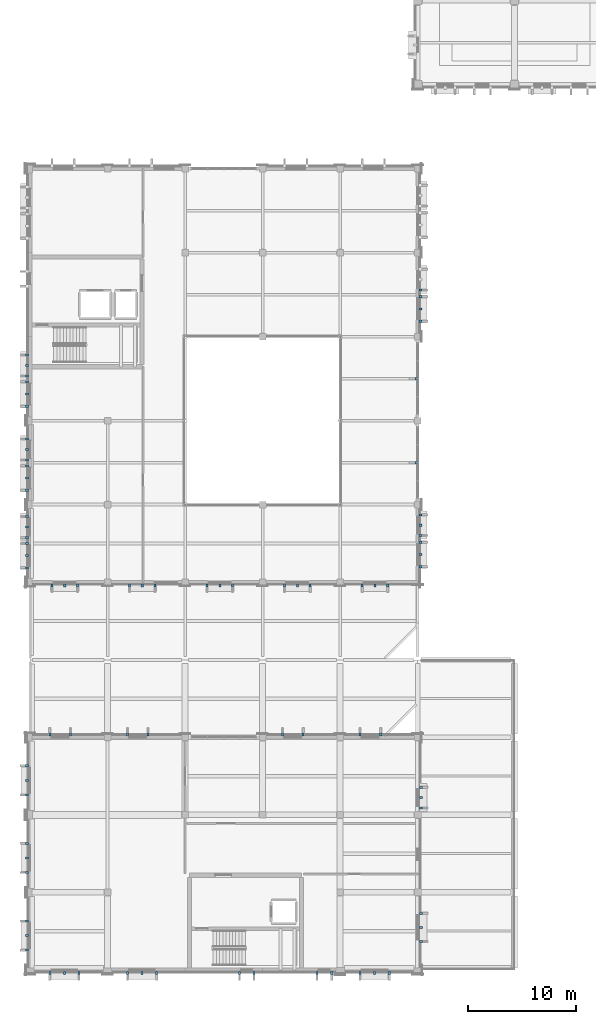
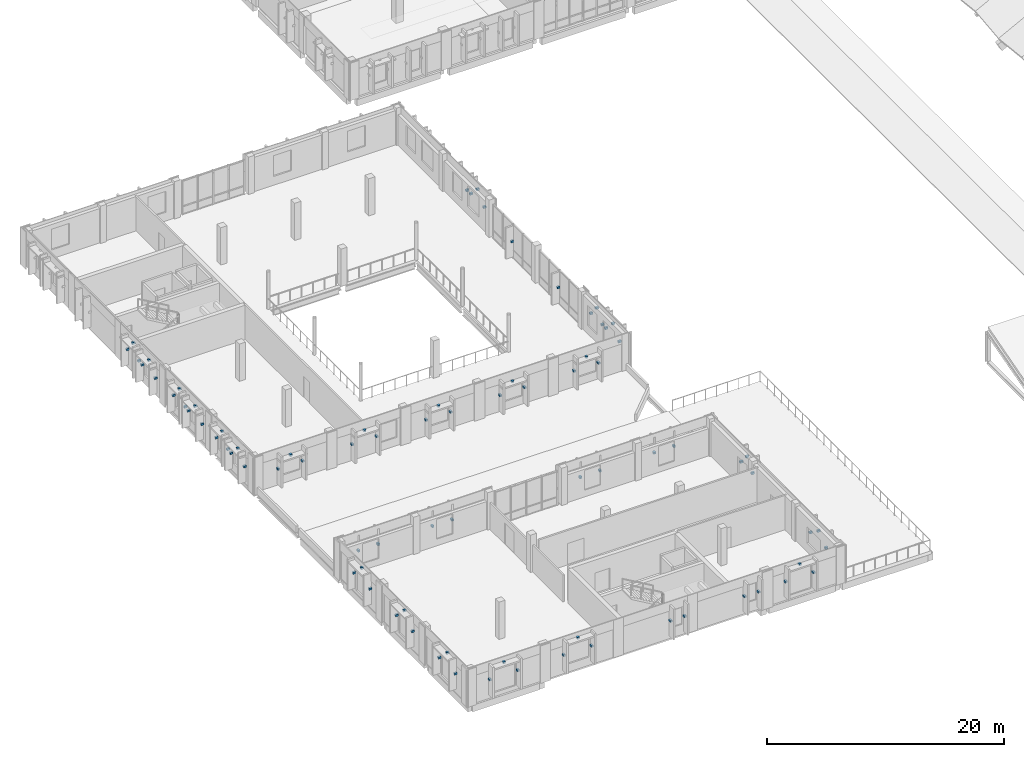
# One storey, part 48 of 64: 81 discrete accessories.
"""IFC4 building model written with IfcOpenShell, lengths in metres."""

from ifc_helpers import new_model, si_unit, direction, frame, origin, origin_2d, place, context, subcontext, project, spatial, rectangle, extrude, material, type_object, element, save


model = new_model("IFC4")

# Units and contexts
model_context = context("Model", 3, precision=1e-05, world=origin(), true_north=direction((0.0, 1.0)))
body_context = subcontext(model_context, "Body", "Model", "MODEL_VIEW")
ifc_project = project(units=[si_unit("LENGTHUNIT", "METRE"), si_unit("AREAUNIT", "SQUARE_METRE"), si_unit("VOLUMEUNIT", "CUBIC_METRE"), si_unit("PLANEANGLEUNIT", "RADIAN"), si_unit("MASSUNIT", "GRAM", prefix="KILO")], contexts=[model_context])

# Site, building, storey
site_placement = place(None, origin())
site = spatial("IfcSite", under=ifc_project, at=site_placement, CompositionType="ELEMENT")
building_placement = place(site_placement, origin())
building = spatial("IfcBuilding", under=site, at=building_placement, Name="Vervanel Yard Central Library", CompositionType="ELEMENT")
storey_placement = place(building_placement, frame((0.0, 0.0, 8.93994140625)))
storey = spatial("IfcBuildingStorey", under=building, at=storey_placement, Name="L02", CompositionType="ELEMENT", Elevation=8.93994140625)

# Discrete accessories
ifc_material = material(Name="Steel ASTM A572 Grade 50", Category="steel")
discrete_accessory_type = type_object("IfcDiscreteAccessoryType", Name="Stainless Solar Fin Fixing Bracket", PredefinedType="BRACKET", material=ifc_material)
for number, where, z_axis, x_axis, name in (
    (1, (-0.2900390625, 37.340087890625, 1.80029296875), (0.0, 0.0, 1.0), (0.0, 1.0, 0.0), "L02 Solar Fin Bracket 307"),
    (2, (-0.2900390625, 39.610107421875, 1.80029296875), (0.0, 0.0, 1.0), (0.0, 1.0, 0.0), "L02 Solar Fin Bracket 308"),
    (3, (-0.2900390625, 38.47509765625, 2.9501953125), (0.0, 0.0, 1.0), (0.0, 1.0, 0.0), "L02 Sunhood Bracket 54"),
    (4, (-0.2900390625, 40.139892578125, 1.875), (0.0, 0.0, 1.0), (0.0, 1.0, 0.0), "L02 Solar Fin Bracket 309"),
    (5, (-0.2900390625, 42.110107421875, 1.875), (0.0, 0.0, 1.0), (0.0, 1.0, 0.0), "L02 Solar Fin Bracket 310"),
    (6, (-0.2900390625, 41.125, 3.10009765625), (0.0, 0.0, 1.0), (0.0, 1.0, 0.0), "L02 Sunhood Bracket 55"),
    (7, (-0.2900390625, 44.5400390625, 1.80029296875), (0.0, 0.0, 1.0), (0.0, 1.0, 0.0), "L02 Solar Fin Bracket 311"),
    (8, (-0.2900390625, 46.81005859375, 1.80029296875), (0.0, 0.0, 1.0), (0.0, 1.0, 0.0), "L02 Solar Fin Bracket 312"),
    (9, (-0.2900390625, 45.675048828125, 2.9501953125), (0.0, 0.0, 1.0), (0.0, 1.0, 0.0), "L02 Sunhood Bracket 56"),
    (10, (-0.2900390625, 47.340087890625, 1.875), (0.0, 0.0, 1.0), (0.0, 1.0, 0.0), "L02 Solar Fin Bracket 313"),
    (11, (-0.2900390625, 49.31005859375, 1.875), (0.0, 0.0, 1.0), (0.0, 1.0, 0.0), "L02 Solar Fin Bracket 314"),
    (12, (-0.2900390625, 48.324951171875, 3.10009765625), (0.0, 0.0, 1.0), (0.0, 1.0, 0.0), "L02 Sunhood Bracket 57"),
    (13, (-0.2900390625, 52.340087890625, 1.80029296875), (0.0, 0.0, 1.0), (0.0, 1.0, 0.0), "L02 Solar Fin Bracket 315"),
    (14, (-0.2900390625, 54.610107421875, 1.80029296875), (0.0, 0.0, 1.0), (0.0, 1.0, 0.0), "L02 Solar Fin Bracket 316"),
    (15, (-0.2900390625, 53.47509765625, 2.9501953125), (0.0, 0.0, 1.0), (0.0, 1.0, 0.0), "L02 Sunhood Bracket 58"),
    (16, (-0.2900390625, 55.139892578125, 1.875), (0.0, 0.0, 1.0), (0.0, 1.0, 0.0), "L02 Solar Fin Bracket 317"),
    (17, (-0.2900390625, 57.110107421875, 1.875), (0.0, 0.0, 1.0), (0.0, 1.0, 0.0), "L02 Solar Fin Bracket 318"),
    (18, (-0.2900390625, 56.125, 3.10009765625), (0.0, 0.0, 1.0), (0.0, 1.0, 0.0), "L02 Sunhood Bracket 59"),
    (19, (36.27001953125, 37.43994140625, 1.80029296875), (0.0, 0.0, 1.0), (0.0, 1.0, 0.0), "L02 Solar Fin Bracket 325"),
    (20, (36.27001953125, 39.7099609375, 1.80029296875), (0.0, 0.0, 1.0), (0.0, 1.0, 0.0), "L02 Solar Fin Bracket 326"),
    (21, (36.27001953125, 38.574951171875, 2.9501953125), (0.0, 0.0, 1.0), (0.0, 1.0, 0.0), "L02 Sunhood Bracket 62"),
    (22, (36.27001953125, 40.340087890625, 1.77490234375), (0.0, 0.0, 1.0), (0.0, 1.0, 0.0), "L02 Solar Fin Bracket 327"),
    (23, (36.27001953125, 42.260009765625, 1.77490234375), (0.0, 0.0, 1.0), (0.0, 1.0, 0.0), "L02 Solar Fin Bracket 328"),
    (24, (36.27001953125, 41.300048828125, 2.89990234375), (0.0, 0.0, 1.0), (0.0, 1.0, 0.0), "L02 Sunhood Bracket 63"),
    (25, (35.8701171875, 47.10009765625, 1.6552734375), (0.0, 0.0, 1.0), (0.0, 1.0, 0.0), "L02 Solar Fin Bracket 329"),
    (26, (35.8701171875, 54.89990234375, 1.6552734375), (0.0, 0.0, 1.0), (0.0, 1.0, 0.0), "L02 Solar Fin Bracket 330"),
    (27, (36.27001953125, 60.239990234375, 1.80029296875), (0.0, 0.0, 1.0), (0.0, 1.0, 0.0), "L02 Solar Fin Bracket 331"),
    (28, (36.27001953125, 62.510009765625, 1.80029296875), (0.0, 0.0, 1.0), (0.0, 1.0, 0.0), "L02 Solar Fin Bracket 332"),
    (29, (36.27001953125, 61.375, 2.9501953125), (0.0, 0.0, 1.0), (0.0, 1.0, 0.0), "L02 Sunhood Bracket 64"),
    (30, (36.27001953125, 63.139892578125, 1.77490234375), (0.0, 0.0, 1.0), (0.0, 1.0, 0.0), "L02 Solar Fin Bracket 333"),
    (31, (2.0400390625, 35.7099609375, 1.72509765625), (0.0, 0.0, 1.0), (1.0, 0.0, 0.0), "L02 Solar Fin Bracket 341"),
    (32, (4.409912109375, 35.7099609375, 1.72509765625), (0.0, 0.0, 1.0), (1.0, 0.0, 0.0), "L02 Solar Fin Bracket 342"),
    (33, (3.22509765625, 35.7099609375, 2.75), (0.0, 0.0, 1.0), (1.0, 0.0, 0.0), "L02 Sunhood Bracket 68"),
    (34, (9.239990234375, 35.7099609375, 1.72509765625), (0.0, 0.0, 1.0), (1.0, 0.0, 0.0), "L02 Solar Fin Bracket 345"),
    (35, (11.610107421875, 35.7099609375, 1.72509765625), (0.0, 0.0, 1.0), (1.0, 0.0, 0.0), "L02 Solar Fin Bracket 346"),
    (36, (10.425048828125, 35.7099609375, 2.75), (0.0, 0.0, 1.0), (1.0, 0.0, 0.0), "L02 Sunhood Bracket 69"),
    (37, (16.43994140625, 35.7099609375, 1.72509765625), (0.0, 0.0, 1.0), (1.0, 0.0, 0.0), "L02 Solar Fin Bracket 347"),
    (38, (18.81005859375, 35.7099609375, 1.72509765625), (0.0, 0.0, 1.0), (1.0, 0.0, 0.0), "L02 Solar Fin Bracket 348"),
    (39, (17.625, 35.7099609375, 2.75), (0.0, 0.0, 1.0), (1.0, 0.0, 0.0), "L02 Sunhood Bracket 70"),
    (40, (23.639892578125, 35.7099609375, 1.72509765625), (0.0, 0.0, 1.0), (1.0, 0.0, 0.0), "L02 Solar Fin Bracket 351"),
    (41, (26.010009765625, 35.7099609375, 1.72509765625), (0.0, 0.0, 1.0), (1.0, 0.0, 0.0), "L02 Solar Fin Bracket 352"),
    (42, (24.824951171875, 35.7099609375, 2.75), (0.0, 0.0, 1.0), (1.0, 0.0, 0.0), "L02 Sunhood Bracket 71"),
    (43, (30.840087890625, 35.7099609375, 1.72509765625), (0.0, 0.0, 1.0), (1.0, 0.0, 0.0), "L02 Solar Fin Bracket 355"),
    (44, (33.2099609375, 35.7099609375, 1.72509765625), (0.0, 0.0, 1.0), (1.0, 0.0, 0.0), "L02 Solar Fin Bracket 356"),
    (45, (32.02490234375, 35.7099609375, 2.75), (0.0, 0.0, 1.0), (1.0, 0.0, 0.0), "L02 Sunhood Bracket 72"),
    (46, (1.840087890625, -0.2900390625, 1.9501953125), (0.0, 0.0, 1.0), (1.0, 0.0, 0.0), "L02 Solar Fin Bracket 659"),
    (47, (4.56005859375, -0.2900390625, 1.9501953125), (0.0, 0.0, 1.0), (1.0, 0.0, 0.0), "L02 Solar Fin Bracket 660"),
    (48, (3.199951171875, -0.2900390625, 3.25), (0.0, 0.0, 1.0), (1.0, 0.0, 0.0), "L02 Sunhood Bracket 134"),
    (49, (9.0400390625, -0.2900390625, 1.9501953125), (0.0, 0.0, 1.0), (1.0, 0.0, 0.0), "L02 Solar Fin Bracket 661"),
    (50, (11.760009765625, -0.2900390625, 1.9501953125), (0.0, 0.0, 1.0), (1.0, 0.0, 0.0), "L02 Solar Fin Bracket 662"),
    (51, (10.39990234375, -0.2900390625, 3.25), (0.0, 0.0, 1.0), (1.0, 0.0, 0.0), "L02 Sunhood Bracket 135"),
    (52, (19.43994140625, -0.2900390625, 1.8251953125), (0.0, 0.0, 1.0), (1.0, 0.0, 0.0), "L02 Solar Fin Bracket 663"),
    (53, (20.81005859375, -0.2900390625, 1.8251953125), (0.0, 0.0, 1.0), (1.0, 0.0, 0.0), "L02 Solar Fin Bracket 664"),
    (54, (26.639892578125, -0.2900390625, 1.8251953125), (0.0, 0.0, 1.0), (1.0, 0.0, 0.0), "L02 Solar Fin Bracket 665"),
    (55, (28.010009765625, -0.2900390625, 1.8251953125), (0.0, 0.0, 1.0), (1.0, 0.0, 0.0), "L02 Solar Fin Bracket 666"),
    (56, (30.639892578125, -0.2900390625, 1.9501953125), (0.0, 0.0, 1.0), (1.0, 0.0, 0.0), "L02 Solar Fin Bracket 667"),
    (57, (33.360107421875, -0.2900390625, 1.9501953125), (0.0, 0.0, 1.0), (1.0, 0.0, 0.0), "L02 Solar Fin Bracket 668"),
    (58, (32.0, -0.2900390625, 3.25), (0.0, 0.0, 1.0), (1.0, 0.0, 0.0), "L02 Sunhood Bracket 136"),
    (59, (-0.27001953125, 1.840087890625, 2.0), (0.0, 0.0, 1.0), (0.0, 1.0, 0.0), "L02 Solar Fin Bracket 669"),
    (60, (-0.27001953125, 4.56005859375, 2.0), (0.0, 0.0, 1.0), (0.0, 1.0, 0.0), "L02 Solar Fin Bracket 670"),
    (61, (-0.27001953125, 3.199951171875, 3.30029296875), (0.0, 0.0, 1.0), (0.0, 1.0, 0.0), "L02 Sunhood Bracket 137"),
    (62, (-0.27001953125, 9.0400390625, 2.0), (0.0, 0.0, 1.0), (0.0, 1.0, 0.0), "L02 Solar Fin Bracket 671"),
    (63, (-0.27001953125, 11.760009765625, 2.0), (0.0, 0.0, 1.0), (0.0, 1.0, 0.0), "L02 Solar Fin Bracket 672"),
    (64, (-0.27001953125, 10.39990234375, 3.30029296875), (0.0, 0.0, 1.0), (0.0, 1.0, 0.0), "L02 Sunhood Bracket 138"),
    (65, (-0.27001953125, 16.239990234375, 2.0), (0.0, 0.0, 1.0), (0.0, 1.0, 0.0), "L02 Solar Fin Bracket 673"),
    (66, (-0.27001953125, 18.9599609375, 2.0), (0.0, 0.0, 1.0), (0.0, 1.0, 0.0), "L02 Solar Fin Bracket 674"),
    (67, (-0.27001953125, 17.60009765625, 3.30029296875), (0.0, 0.0, 1.0), (0.0, 1.0, 0.0), "L02 Sunhood Bracket 139"),
    (68, (36.2900390625, 2.639892578125, 1.64990234375), (0.0, 0.0, 1.0), (0.0, 1.0, 0.0), "L02 Solar Fin Bracket 675"),
    (69, (36.2900390625, 5.260009765625, 1.64990234375), (0.0, 0.0, 1.0), (0.0, 1.0, 0.0), "L02 Solar Fin Bracket 676"),
    (70, (36.2900390625, 3.949951171875, 2.60009765625), (0.0, 0.0, 1.0), (0.0, 1.0, 0.0), "L02 Sunhood Bracket 140"),
    (71, (36.2900390625, 15.0400390625, 1.8251953125), (0.0, 0.0, 1.0), (0.0, 1.0, 0.0), "L02 Solar Fin Bracket 677"),
    (72, (36.2900390625, 16.9599609375, 1.8251953125), (0.0, 0.0, 1.0), (0.0, 1.0, 0.0), "L02 Solar Fin Bracket 678"),
    (73, (36.2900390625, 16.0, 2.9501953125), (0.0, 0.0, 1.0), (0.0, 1.0, 0.0), "L02 Sunhood Bracket 141"),
    (74, (1.840087890625, 21.8701171875, 1.77490234375), (0.0, 0.0, 1.0), (1.0, 0.0, 0.0), "L02 Solar Fin Bracket 679"),
    (75, (3.760009765625, 21.8701171875, 1.77490234375), (0.0, 0.0, 1.0), (1.0, 0.0, 0.0), "L02 Solar Fin Bracket 680"),
    (76, (9.0400390625, 21.8701171875, 1.77490234375), (0.0, 0.0, 1.0), (1.0, 0.0, 0.0), "L02 Solar Fin Bracket 681"),
    (77, (10.9599609375, 21.8701171875, 1.77490234375), (0.0, 0.0, 1.0), (1.0, 0.0, 0.0), "L02 Solar Fin Bracket 682"),
    (78, (23.43994140625, 21.8701171875, 1.77490234375), (0.0, 0.0, 1.0), (1.0, 0.0, 0.0), "L02 Solar Fin Bracket 683"),
    (79, (25.360107421875, 21.8701171875, 1.77490234375), (0.0, 0.0, 1.0), (1.0, 0.0, 0.0), "L02 Solar Fin Bracket 684"),
    (80, (30.639892578125, 21.8701171875, 1.77490234375), (0.0, 0.0, 1.0), (1.0, 0.0, 0.0), "L02 Solar Fin Bracket 685"),
    (81, (32.56005859375, 21.8701171875, 1.77490234375), (0.0, 0.0, 1.0), (1.0, 0.0, 0.0), "L02 Solar Fin Bracket 686"),
):
    element("IfcDiscreteAccessory", number, at=place(storey_placement, frame(where, z_axis=z_axis, x_axis=x_axis)), inside=storey, type_object=discrete_accessory_type, Name=name, PredefinedType="BRACKET", context=body_context, shape_type="SweptSolid", body=[
        extrude(rectangle(XDim=0.199951171875, YDim=0.280029296875, at=origin_2d()), origin(), (0.0, 0.0, 1.0), 0.199951171875),
    ])

save(model, "model.ifc")
